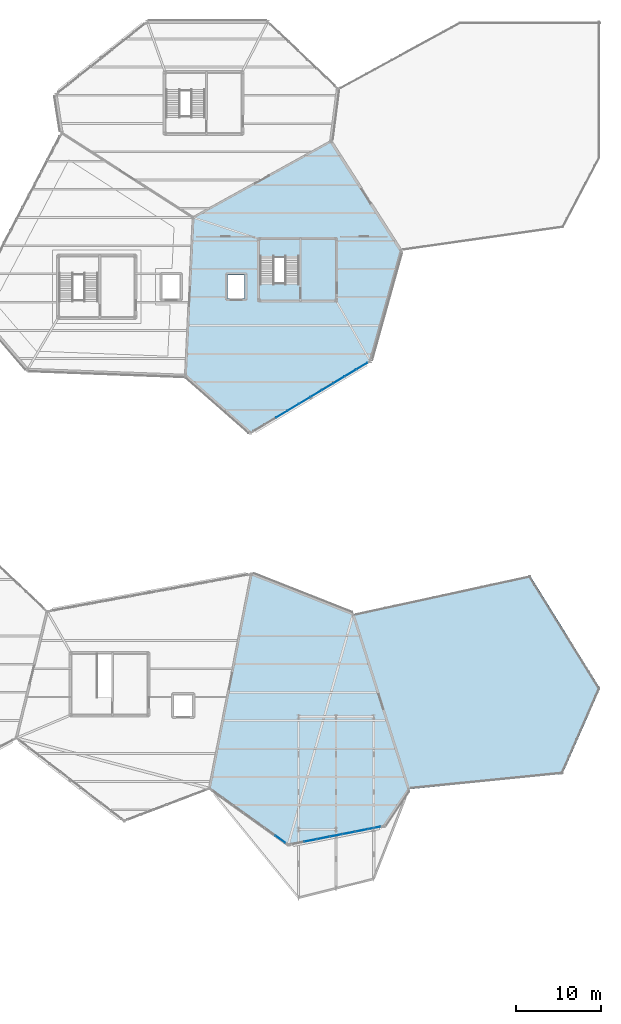
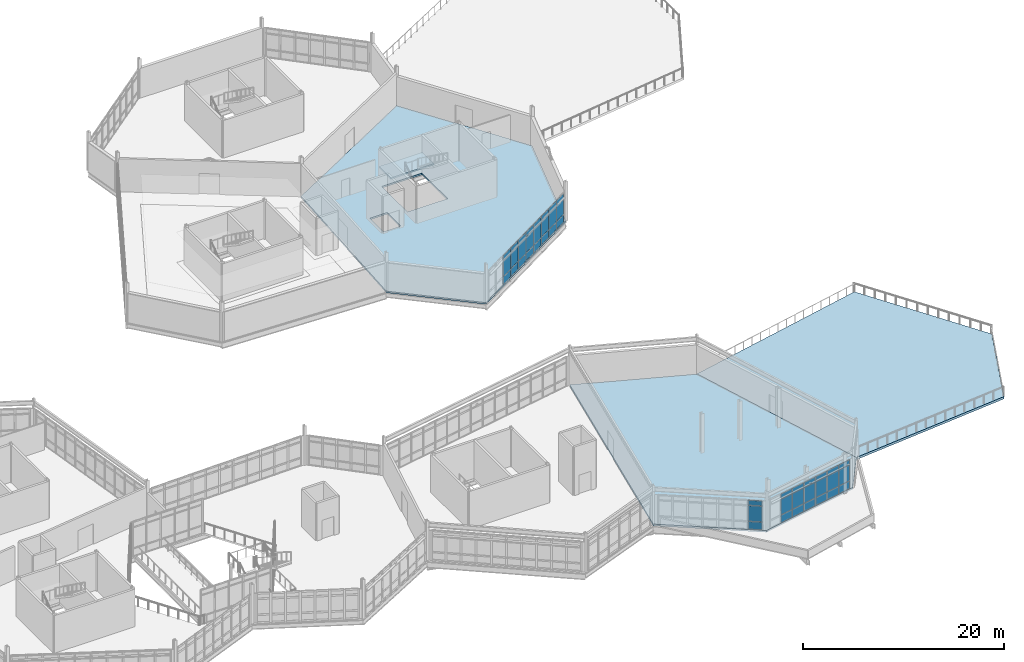
# One storey, part 54 of 76: 45 plates, 4 slabs, 4 elements without a shape of their own.
"""IFC4 building model written with IfcOpenShell, lengths in metres."""

from ifc_helpers import new_model, si_unit, direction, frame, origin, origin_2d, place, context, subcontext, project, spatial, polyline, rectangle, outline, extrude, material, layer, layer_set, type_object, element, aggregate, save


model = new_model("IFC4")

# Units and contexts
model_context = context("Model", 3, precision=1e-05, world=origin(), true_north=direction((0.0, 1.0)))
body_context = subcontext(model_context, "Body", "Model", "MODEL_VIEW")
ifc_project = project(units=[si_unit("LENGTHUNIT", "METRE"), si_unit("AREAUNIT", "SQUARE_METRE"), si_unit("VOLUMEUNIT", "CUBIC_METRE"), si_unit("PLANEANGLEUNIT", "RADIAN"), si_unit("MASSUNIT", "GRAM", prefix="KILO")], contexts=[model_context])

# Site, building, storey
site_placement = place(None, origin())
site = spatial("IfcSite", under=ifc_project, at=site_placement, CompositionType="ELEMENT")
building_placement = place(site_placement, origin())
building = spatial("IfcBuilding", under=site, at=building_placement, Name="Tameran Prism Museum", CompositionType="ELEMENT")
storey_placement = place(building_placement, frame((0.0, 0.0, 15.0)))
storey = spatial("IfcBuildingStorey", under=building, at=storey_placement, Name="L03", CompositionType="ELEMENT", Elevation=15.0)

# Curtain wall, plates
ifc_material_1 = material(Name="Anodised Aluminium 6063-T6 and Cyclone Solar Glass", Category="aluminium")
curtain_wall_type_1 = type_object("IfcCurtainWallType", Name="CW-FAC-1563x362", PredefinedType="USERDEFINED", material=ifc_material_1)
curtain_wall_1_placement = place(storey_placement, origin())
curtain_wall_1 = element("IfcCurtainWall", 1, at=curtain_wall_1_placement, inside=storey, type_object=curtain_wall_type_1, Name="Unitised Curtain Wall CW-131", ObjectType="UNITISED CURTAIN WALL", PredefinedType="USERDEFINED")
ifc_material_2 = material(Name="Low-E Laminated Solar Glass", Category="glass")
ifc_layer_1 = layer(ifc_material_2, 0.028076171875)
ifc_layer_set_1 = layer_set([ifc_layer_1])
plate_type_1 = type_object("IfcPlateType", Name="CW-PNL-G28", PredefinedType="CURTAIN_PANEL", material=ifc_layer_set_1)
plate_1_placement = place(storey_placement, frame((138.51611328125, 71.709716796875, 0.06494140625), z_axis=(0.0, 0.0, 1.0), x_axis=(-0.857492925713, -0.514495755426, 0.0)))
plate_1 = element("IfcPlate", 2, at=plate_1_placement, type_object=plate_type_1, Name="CW-131 panel 1.1", PredefinedType="CURTAIN_PANEL", context=body_context, shape_type="SweptSolid", body=[
    extrude(rectangle(XDim=1.465087890625, YDim=0.028076171875, at=origin_2d()), origin(), (0.0, 0.0, 1.0), 0.902587890625),
])
plate_2_placement = place(storey_placement, frame((138.51611328125, 71.709716796875, 1.032470703125), z_axis=(0.0, 0.0, 1.0), x_axis=(-0.857492925713, -0.514495755426, 0.0)))
plate_2 = element("IfcPlate", 3, at=plate_2_placement, type_object=plate_type_1, Name="CW-131 panel 1.2", PredefinedType="CURTAIN_PANEL", context=body_context, shape_type="SweptSolid", body=[
    extrude(rectangle(XDim=1.465087890625, YDim=0.028076171875, at=origin_2d()), origin(), (0.0, 0.0, 1.0), 1.875),
])
plate_3_placement = place(storey_placement, frame((138.51611328125, 71.709716796875, 2.972412109375), z_axis=(0.0, 0.0, 1.0), x_axis=(-0.857492925713, -0.514495755426, 0.0)))
plate_3 = element("IfcPlate", 4, at=plate_3_placement, type_object=plate_type_1, Name="CW-131 panel 1.3", PredefinedType="CURTAIN_PANEL", context=body_context, shape_type="SweptSolid", body=[
    extrude(rectangle(XDim=1.465087890625, YDim=0.028076171875, at=origin_2d()), origin(), (0.0, 0.0, 1.0), 0.58251953125),
])
plate_4_placement = place(storey_placement, frame((137.18994140625, 70.9140625, 0.06494140625), z_axis=(0.0, 0.0, 1.0), x_axis=(-0.857492925713, -0.514495755426, 0.0)))
plate_4 = element("IfcPlate", 5, at=plate_4_placement, type_object=plate_type_1, Name="CW-131 panel 2.1", PredefinedType="CURTAIN_PANEL", context=body_context, shape_type="SweptSolid", body=[
    extrude(rectangle(XDim=1.497802734375, YDim=0.028076171875, at=origin_2d()), origin(), (0.0, 0.0, 1.0), 0.902587890625),
])
plate_5_placement = place(storey_placement, frame((137.18994140625, 70.9140625, 1.032470703125), z_axis=(0.0, 0.0, 1.0), x_axis=(-0.857492925713, -0.514495755426, 0.0)))
plate_5 = element("IfcPlate", 6, at=plate_5_placement, type_object=plate_type_1, Name="CW-131 panel 2.2", PredefinedType="CURTAIN_PANEL", context=body_context, shape_type="SweptSolid", body=[
    extrude(rectangle(XDim=1.497802734375, YDim=0.028076171875, at=origin_2d()), origin(), (0.0, 0.0, 1.0), 1.875),
])
plate_6_placement = place(storey_placement, frame((137.18994140625, 70.9140625, 2.972412109375), z_axis=(0.0, 0.0, 1.0), x_axis=(-0.857492925713, -0.514495755426, 0.0)))
plate_6 = element("IfcPlate", 7, at=plate_6_placement, type_object=plate_type_1, Name="CW-131 panel 2.3", PredefinedType="CURTAIN_PANEL", context=body_context, shape_type="SweptSolid", body=[
    extrude(rectangle(XDim=1.497802734375, YDim=0.028076171875, at=origin_2d()), origin(), (0.0, 0.0, 1.0), 0.58251953125),
])
plate_7_placement = place(storey_placement, frame((135.85009765625, 70.110107421875, 0.06494140625), z_axis=(0.0, 0.0, 1.0), x_axis=(-0.857492925713, -0.514495755426, 0.0)))
plate_7 = element("IfcPlate", 8, at=plate_7_placement, type_object=plate_type_1, Name="CW-131 panel 3.1", PredefinedType="CURTAIN_PANEL", context=body_context, shape_type="SweptSolid", body=[
    extrude(rectangle(XDim=1.497802734375, YDim=0.028076171875, at=origin_2d()), origin(), (0.0, 0.0, 1.0), 0.902587890625),
])
plate_8_placement = place(storey_placement, frame((135.85009765625, 70.110107421875, 1.032470703125), z_axis=(0.0, 0.0, 1.0), x_axis=(-0.857492925713, -0.514495755426, 0.0)))
plate_8 = element("IfcPlate", 9, at=plate_8_placement, type_object=plate_type_1, Name="CW-131 panel 3.2", PredefinedType="CURTAIN_PANEL", context=body_context, shape_type="SweptSolid", body=[
    extrude(rectangle(XDim=1.497802734375, YDim=0.028076171875, at=origin_2d()), origin(), (0.0, 0.0, 1.0), 1.875),
])
plate_9_placement = place(storey_placement, frame((135.85009765625, 70.110107421875, 2.972412109375), z_axis=(0.0, 0.0, 1.0), x_axis=(-0.857492925713, -0.514495755426, 0.0)))
plate_9 = element("IfcPlate", 10, at=plate_9_placement, type_object=plate_type_1, Name="CW-131 panel 3.3", PredefinedType="CURTAIN_PANEL", context=body_context, shape_type="SweptSolid", body=[
    extrude(rectangle(XDim=1.497802734375, YDim=0.028076171875, at=origin_2d()), origin(), (0.0, 0.0, 1.0), 0.58251953125),
])
plate_10_placement = place(storey_placement, frame((134.510009765625, 69.305908203125, 0.06494140625), z_axis=(0.0, 0.0, 1.0), x_axis=(-0.857492925713, -0.514495755426, 0.0)))
plate_10 = element("IfcPlate", 11, at=plate_10_placement, type_object=plate_type_1, Name="CW-131 panel 4.1", PredefinedType="CURTAIN_PANEL", context=body_context, shape_type="SweptSolid", body=[
    extrude(rectangle(XDim=1.497802734375, YDim=0.028076171875, at=origin_2d()), origin(), (0.0, 0.0, 1.0), 0.902587890625),
])
plate_11_placement = place(storey_placement, frame((134.510009765625, 69.305908203125, 1.032470703125), z_axis=(0.0, 0.0, 1.0), x_axis=(-0.857492925713, -0.514495755426, 0.0)))
plate_11 = element("IfcPlate", 12, at=plate_11_placement, type_object=plate_type_1, Name="CW-131 panel 4.2", PredefinedType="CURTAIN_PANEL", context=body_context, shape_type="SweptSolid", body=[
    extrude(rectangle(XDim=1.497802734375, YDim=0.028076171875, at=origin_2d()), origin(), (0.0, 0.0, 1.0), 1.875),
])
plate_12_placement = place(storey_placement, frame((134.510009765625, 69.305908203125, 2.972412109375), z_axis=(0.0, 0.0, 1.0), x_axis=(-0.857492925713, -0.514495755426, 0.0)))
plate_12 = element("IfcPlate", 13, at=plate_12_placement, type_object=plate_type_1, Name="CW-131 panel 4.3", PredefinedType="CURTAIN_PANEL", context=body_context, shape_type="SweptSolid", body=[
    extrude(rectangle(XDim=1.497802734375, YDim=0.028076171875, at=origin_2d()), origin(), (0.0, 0.0, 1.0), 0.58251953125),
])
plate_13_placement = place(storey_placement, frame((133.169921875, 68.501953125, 0.06494140625), z_axis=(0.0, 0.0, 1.0), x_axis=(-0.857492925713, -0.514495755426, 0.0)))
plate_13 = element("IfcPlate", 14, at=plate_13_placement, type_object=plate_type_1, Name="CW-131 panel 5.1", PredefinedType="CURTAIN_PANEL", context=body_context, shape_type="SweptSolid", body=[
    extrude(rectangle(XDim=1.497802734375, YDim=0.028076171875, at=origin_2d()), origin(), (0.0, 0.0, 1.0), 0.902587890625),
])
plate_14_placement = place(storey_placement, frame((133.169921875, 68.501953125, 1.032470703125), z_axis=(0.0, 0.0, 1.0), x_axis=(-0.857492925713, -0.514495755426, 0.0)))
plate_14 = element("IfcPlate", 15, at=plate_14_placement, type_object=plate_type_1, Name="CW-131 panel 5.2", PredefinedType="CURTAIN_PANEL", context=body_context, shape_type="SweptSolid", body=[
    extrude(rectangle(XDim=1.497802734375, YDim=0.028076171875, at=origin_2d()), origin(), (0.0, 0.0, 1.0), 1.875),
])
plate_15_placement = place(storey_placement, frame((133.169921875, 68.501953125, 2.972412109375), z_axis=(0.0, 0.0, 1.0), x_axis=(-0.857492925713, -0.514495755426, 0.0)))
plate_15 = element("IfcPlate", 16, at=plate_15_placement, type_object=plate_type_1, Name="CW-131 panel 5.3", PredefinedType="CURTAIN_PANEL", context=body_context, shape_type="SweptSolid", body=[
    extrude(rectangle(XDim=1.497802734375, YDim=0.028076171875, at=origin_2d()), origin(), (0.0, 0.0, 1.0), 0.58251953125),
])
plate_16_placement = place(storey_placement, frame((131.830078125, 67.697998046875, 0.06494140625), z_axis=(0.0, 0.0, 1.0), x_axis=(-0.857492925713, -0.514495755426, 0.0)))
plate_16 = element("IfcPlate", 17, at=plate_16_placement, type_object=plate_type_1, Name="CW-131 panel 6.1", PredefinedType="CURTAIN_PANEL", context=body_context, shape_type="SweptSolid", body=[
    extrude(rectangle(XDim=1.497802734375, YDim=0.028076171875, at=origin_2d()), origin(), (0.0, 0.0, 1.0), 0.902587890625),
])
plate_17_placement = place(storey_placement, frame((131.830078125, 67.697998046875, 1.032470703125), z_axis=(0.0, 0.0, 1.0), x_axis=(-0.857492925713, -0.514495755426, 0.0)))
plate_17 = element("IfcPlate", 18, at=plate_17_placement, type_object=plate_type_1, Name="CW-131 panel 6.2", PredefinedType="CURTAIN_PANEL", context=body_context, shape_type="SweptSolid", body=[
    extrude(rectangle(XDim=1.497802734375, YDim=0.028076171875, at=origin_2d()), origin(), (0.0, 0.0, 1.0), 1.875),
])
plate_18_placement = place(storey_placement, frame((131.830078125, 67.697998046875, 2.972412109375), z_axis=(0.0, 0.0, 1.0), x_axis=(-0.857492925713, -0.514495755426, 0.0)))
plate_18 = element("IfcPlate", 19, at=plate_18_placement, type_object=plate_type_1, Name="CW-131 panel 6.3", PredefinedType="CURTAIN_PANEL", context=body_context, shape_type="SweptSolid", body=[
    extrude(rectangle(XDim=1.497802734375, YDim=0.028076171875, at=origin_2d()), origin(), (0.0, 0.0, 1.0), 0.58251953125),
])
plate_19_placement = place(storey_placement, frame((130.489990234375, 66.89404296875, 0.06494140625), z_axis=(0.0, 0.0, 1.0), x_axis=(-0.857492925713, -0.514495755426, 0.0)))
plate_19 = element("IfcPlate", 20, at=plate_19_placement, type_object=plate_type_1, Name="CW-131 panel 7.1", PredefinedType="CURTAIN_PANEL", context=body_context, shape_type="SweptSolid", body=[
    extrude(rectangle(XDim=1.497802734375, YDim=0.028076171875, at=origin_2d()), origin(), (0.0, 0.0, 1.0), 0.902587890625),
])
plate_20_placement = place(storey_placement, frame((130.489990234375, 66.89404296875, 1.032470703125), z_axis=(0.0, 0.0, 1.0), x_axis=(-0.857492925713, -0.514495755426, 0.0)))
plate_20 = element("IfcPlate", 21, at=plate_20_placement, type_object=plate_type_1, Name="CW-131 panel 7.2", PredefinedType="CURTAIN_PANEL", context=body_context, shape_type="SweptSolid", body=[
    extrude(rectangle(XDim=1.497802734375, YDim=0.028076171875, at=origin_2d()), origin(), (0.0, 0.0, 1.0), 1.875),
])
plate_21_placement = place(storey_placement, frame((130.489990234375, 66.89404296875, 2.972412109375), z_axis=(0.0, 0.0, 1.0), x_axis=(-0.857492925713, -0.514495755426, 0.0)))
plate_21 = element("IfcPlate", 22, at=plate_21_placement, type_object=plate_type_1, Name="CW-131 panel 7.3", PredefinedType="CURTAIN_PANEL", context=body_context, shape_type="SweptSolid", body=[
    extrude(rectangle(XDim=1.497802734375, YDim=0.028076171875, at=origin_2d()), origin(), (0.0, 0.0, 1.0), 0.58251953125),
])
plate_22_placement = place(storey_placement, frame((129.14990234375, 66.090087890625, 0.06494140625), z_axis=(0.0, 0.0, 1.0), x_axis=(-0.857492925713, -0.514495755426, 0.0)))
plate_22 = element("IfcPlate", 23, at=plate_22_placement, type_object=plate_type_1, Name="CW-131 panel 8.1", PredefinedType="CURTAIN_PANEL", context=body_context, shape_type="SweptSolid", body=[
    extrude(rectangle(XDim=1.497802734375, YDim=0.028076171875, at=origin_2d()), origin(), (0.0, 0.0, 1.0), 0.902587890625),
])
plate_23_placement = place(storey_placement, frame((129.14990234375, 66.090087890625, 1.032470703125), z_axis=(0.0, 0.0, 1.0), x_axis=(-0.857492925713, -0.514495755426, 0.0)))
plate_23 = element("IfcPlate", 24, at=plate_23_placement, type_object=plate_type_1, Name="CW-131 panel 8.2", PredefinedType="CURTAIN_PANEL", context=body_context, shape_type="SweptSolid", body=[
    extrude(rectangle(XDim=1.497802734375, YDim=0.028076171875, at=origin_2d()), origin(), (0.0, 0.0, 1.0), 1.875),
])
plate_24_placement = place(storey_placement, frame((129.14990234375, 66.090087890625, 2.972412109375), z_axis=(0.0, 0.0, 1.0), x_axis=(-0.857492925713, -0.514495755426, 0.0)))
plate_24 = element("IfcPlate", 25, at=plate_24_placement, type_object=plate_type_1, Name="CW-131 panel 8.3", PredefinedType="CURTAIN_PANEL", context=body_context, shape_type="SweptSolid", body=[
    extrude(rectangle(XDim=1.497802734375, YDim=0.028076171875, at=origin_2d()), origin(), (0.0, 0.0, 1.0), 0.58251953125),
])
aggregate(curtain_wall_1, [plate_1, plate_2, plate_3, plate_4, plate_5, plate_6, plate_7, plate_8, plate_9, plate_10, plate_11, plate_12, plate_13, plate_14, plate_15, plate_16, plate_17, plate_18, plate_19, plate_20, plate_21, plate_22, plate_23, plate_24])

ifc_material_3 = material(Name="Anodised Aluminium 6063-T6 and Cyclone Solar Glass", Category="aluminium")
curtain_wall_type_2 = type_object("IfcCurtainWallType", Name="CW-FAC-1071x362", PredefinedType="USERDEFINED", material=ifc_material_3)
curtain_wall_2_placement = place(storey_placement, origin())
curtain_wall_2 = element("IfcCurtainWall", 26, at=curtain_wall_2_placement, inside=storey, type_object=curtain_wall_type_2, Name="Unitised Curtain Wall CW-149", ObjectType="UNITISED CURTAIN WALL", PredefinedType="USERDEFINED")
plate_25_placement = place(storey_placement, frame((139.987548828125, 17.681884765625, 0.0751953125), z_axis=(0.0, 0.0, 1.0), x_axis=(-0.981235579989, -0.192812698141, 0.0)))
plate_25 = element("IfcPlate", 27, at=plate_25_placement, type_object=plate_type_1, Name="CW-149 panel 1.1", PredefinedType="CURTAIN_PANEL", context=body_context, shape_type="SweptSolid", body=[
    extrude(rectangle(XDim=1.418212890625, YDim=0.028076171875, at=origin_2d()), origin(), (0.0, 0.0, 1.0), 0.887451171875),
])
plate_26_placement = place(storey_placement, frame((139.987548828125, 17.681884765625, 1.03759765625), z_axis=(0.0, 0.0, 1.0), x_axis=(-0.981235579989, -0.192812698141, 0.0)))
plate_26 = element("IfcPlate", 28, at=plate_26_placement, type_object=plate_type_1, Name="CW-149 panel 1.2", PredefinedType="CURTAIN_PANEL", context=body_context, shape_type="SweptSolid", body=[
    extrude(rectangle(XDim=1.418212890625, YDim=0.028076171875, at=origin_2d()), origin(), (0.0, 0.0, 1.0), 1.864990234375),
])
plate_27_placement = place(storey_placement, frame((139.987548828125, 17.681884765625, 2.9775390625), z_axis=(0.0, 0.0, 1.0), x_axis=(-0.981235579989, -0.192812698141, 0.0)))
plate_27 = element("IfcPlate", 29, at=plate_27_placement, type_object=plate_type_1, Name="CW-149 panel 1.3", PredefinedType="CURTAIN_PANEL", context=body_context, shape_type="SweptSolid", body=[
    extrude(rectangle(XDim=1.418212890625, YDim=0.028076171875, at=origin_2d()), origin(), (0.0, 0.0, 1.0), 0.5673828125),
])
plate_28_placement = place(storey_placement, frame((138.50390625, 17.390380859375, 0.0751953125), z_axis=(0.0, 0.0, 1.0), x_axis=(-0.981235579989, -0.192812698141, 0.0)))
plate_28 = element("IfcPlate", 30, at=plate_28_placement, type_object=plate_type_1, Name="CW-149 panel 2.1", PredefinedType="CURTAIN_PANEL", context=body_context, shape_type="SweptSolid", body=[
    extrude(rectangle(XDim=1.455810546875, YDim=0.028076171875, at=origin_2d()), origin(), (0.0, 0.0, 1.0), 0.887451171875),
])
plate_29_placement = place(storey_placement, frame((138.50390625, 17.390380859375, 1.03759765625), z_axis=(0.0, 0.0, 1.0), x_axis=(-0.981235579989, -0.192812698141, 0.0)))
plate_29 = element("IfcPlate", 31, at=plate_29_placement, type_object=plate_type_1, Name="CW-149 panel 2.2", PredefinedType="CURTAIN_PANEL", context=body_context, shape_type="SweptSolid", body=[
    extrude(rectangle(XDim=1.455810546875, YDim=0.028076171875, at=origin_2d()), origin(), (0.0, 0.0, 1.0), 1.864990234375),
])
plate_30_placement = place(storey_placement, frame((138.50390625, 17.390380859375, 2.9775390625), z_axis=(0.0, 0.0, 1.0), x_axis=(-0.981235579989, -0.192812698141, 0.0)))
plate_30 = element("IfcPlate", 32, at=plate_30_placement, type_object=plate_type_1, Name="CW-149 panel 2.3", PredefinedType="CURTAIN_PANEL", context=body_context, shape_type="SweptSolid", body=[
    extrude(rectangle(XDim=1.455810546875, YDim=0.028076171875, at=origin_2d()), origin(), (0.0, 0.0, 1.0), 0.5673828125),
])
plate_31_placement = place(storey_placement, frame((137.001953125, 17.09521484375, 0.0751953125), z_axis=(0.0, 0.0, 1.0), x_axis=(-0.981235579989, -0.192812698141, 0.0)))
plate_31 = element("IfcPlate", 33, at=plate_31_placement, type_object=plate_type_1, Name="CW-149 panel 3.1", PredefinedType="CURTAIN_PANEL", context=body_context, shape_type="SweptSolid", body=[
    extrude(rectangle(XDim=1.455810546875, YDim=0.028076171875, at=origin_2d()), origin(), (0.0, 0.0, 1.0), 0.887451171875),
])
plate_32_placement = place(storey_placement, frame((137.001953125, 17.09521484375, 1.03759765625), z_axis=(0.0, 0.0, 1.0), x_axis=(-0.981235579989, -0.192812698141, 0.0)))
plate_32 = element("IfcPlate", 34, at=plate_32_placement, type_object=plate_type_1, Name="CW-149 panel 3.2", PredefinedType="CURTAIN_PANEL", context=body_context, shape_type="SweptSolid", body=[
    extrude(rectangle(XDim=1.455810546875, YDim=0.028076171875, at=origin_2d()), origin(), (0.0, 0.0, 1.0), 1.864990234375),
])
plate_33_placement = place(storey_placement, frame((137.001953125, 17.09521484375, 2.9775390625), z_axis=(0.0, 0.0, 1.0), x_axis=(-0.981235579989, -0.192812698141, 0.0)))
plate_33 = element("IfcPlate", 35, at=plate_33_placement, type_object=plate_type_1, Name="CW-149 panel 3.3", PredefinedType="CURTAIN_PANEL", context=body_context, shape_type="SweptSolid", body=[
    extrude(rectangle(XDim=1.455810546875, YDim=0.028076171875, at=origin_2d()), origin(), (0.0, 0.0, 1.0), 0.5673828125),
])
plate_34_placement = place(storey_placement, frame((135.5, 16.800048828125, 0.0751953125), z_axis=(0.0, 0.0, 1.0), x_axis=(-0.981235579989, -0.192812698141, 0.0)))
plate_34 = element("IfcPlate", 36, at=plate_34_placement, type_object=plate_type_1, Name="CW-149 panel 4.1", PredefinedType="CURTAIN_PANEL", context=body_context, shape_type="SweptSolid", body=[
    extrude(rectangle(XDim=1.455810546875, YDim=0.028076171875, at=origin_2d()), origin(), (0.0, 0.0, 1.0), 0.887451171875),
])
plate_35_placement = place(storey_placement, frame((135.5, 16.800048828125, 1.03759765625), z_axis=(0.0, 0.0, 1.0), x_axis=(-0.981235579989, -0.192812698141, 0.0)))
plate_35 = element("IfcPlate", 37, at=plate_35_placement, type_object=plate_type_1, Name="CW-149 panel 4.2", PredefinedType="CURTAIN_PANEL", context=body_context, shape_type="SweptSolid", body=[
    extrude(rectangle(XDim=1.455810546875, YDim=0.028076171875, at=origin_2d()), origin(), (0.0, 0.0, 1.0), 1.864990234375),
])
plate_36_placement = place(storey_placement, frame((135.5, 16.800048828125, 2.9775390625), z_axis=(0.0, 0.0, 1.0), x_axis=(-0.981235579989, -0.192812698141, 0.0)))
plate_36 = element("IfcPlate", 38, at=plate_36_placement, type_object=plate_type_1, Name="CW-149 panel 4.3", PredefinedType="CURTAIN_PANEL", context=body_context, shape_type="SweptSolid", body=[
    extrude(rectangle(XDim=1.455810546875, YDim=0.028076171875, at=origin_2d()), origin(), (0.0, 0.0, 1.0), 0.5673828125),
])
plate_37_placement = place(storey_placement, frame((133.998046875, 16.5048828125, 0.0751953125), z_axis=(0.0, 0.0, 1.0), x_axis=(-0.981235579989, -0.192812698141, 0.0)))
plate_37 = element("IfcPlate", 39, at=plate_37_placement, type_object=plate_type_1, Name="CW-149 panel 5.1", PredefinedType="CURTAIN_PANEL", context=body_context, shape_type="SweptSolid", body=[
    extrude(rectangle(XDim=1.455810546875, YDim=0.028076171875, at=origin_2d()), origin(), (0.0, 0.0, 1.0), 0.887451171875),
])
plate_38_placement = place(storey_placement, frame((133.998046875, 16.5048828125, 1.03759765625), z_axis=(0.0, 0.0, 1.0), x_axis=(-0.981235579989, -0.192812698141, 0.0)))
plate_38 = element("IfcPlate", 40, at=plate_38_placement, type_object=plate_type_1, Name="CW-149 panel 5.2", PredefinedType="CURTAIN_PANEL", context=body_context, shape_type="SweptSolid", body=[
    extrude(rectangle(XDim=1.455810546875, YDim=0.028076171875, at=origin_2d()), origin(), (0.0, 0.0, 1.0), 1.864990234375),
])
plate_39_placement = place(storey_placement, frame((133.998046875, 16.5048828125, 2.9775390625), z_axis=(0.0, 0.0, 1.0), x_axis=(-0.981235579989, -0.192812698141, 0.0)))
plate_39 = element("IfcPlate", 41, at=plate_39_placement, type_object=plate_type_1, Name="CW-149 panel 5.3", PredefinedType="CURTAIN_PANEL", context=body_context, shape_type="SweptSolid", body=[
    extrude(rectangle(XDim=1.455810546875, YDim=0.028076171875, at=origin_2d()), origin(), (0.0, 0.0, 1.0), 0.5673828125),
])
plate_40_placement = place(storey_placement, frame((132.49609375, 16.209716796875, 0.0751953125), z_axis=(0.0, 0.0, 1.0), x_axis=(-0.981235579989, -0.192812698141, 0.0)))
plate_40 = element("IfcPlate", 42, at=plate_40_placement, type_object=plate_type_1, Name="CW-149 panel 6.1", PredefinedType="CURTAIN_PANEL", context=body_context, shape_type="SweptSolid", body=[
    extrude(rectangle(XDim=1.455810546875, YDim=0.028076171875, at=origin_2d()), origin(), (0.0, 0.0, 1.0), 0.887451171875),
])
plate_41_placement = place(storey_placement, frame((132.49609375, 16.209716796875, 1.03759765625), z_axis=(0.0, 0.0, 1.0), x_axis=(-0.981235579989, -0.192812698141, 0.0)))
plate_41 = element("IfcPlate", 43, at=plate_41_placement, type_object=plate_type_1, Name="CW-149 panel 6.2", PredefinedType="CURTAIN_PANEL", context=body_context, shape_type="SweptSolid", body=[
    extrude(rectangle(XDim=1.455810546875, YDim=0.028076171875, at=origin_2d()), origin(), (0.0, 0.0, 1.0), 1.864990234375),
])
plate_42_placement = place(storey_placement, frame((132.49609375, 16.209716796875, 2.9775390625), z_axis=(0.0, 0.0, 1.0), x_axis=(-0.981235579989, -0.192812698141, 0.0)))
plate_42 = element("IfcPlate", 44, at=plate_42_placement, type_object=plate_type_1, Name="CW-149 panel 6.3", PredefinedType="CURTAIN_PANEL", context=body_context, shape_type="SweptSolid", body=[
    extrude(rectangle(XDim=1.455810546875, YDim=0.028076171875, at=origin_2d()), origin(), (0.0, 0.0, 1.0), 0.5673828125),
])
aggregate(curtain_wall_2, [plate_25, plate_26, plate_27, plate_28, plate_29, plate_30, plate_31, plate_32, plate_33, plate_34, plate_35, plate_36, plate_37, plate_38, plate_39, plate_40, plate_41, plate_42])

ifc_material_4 = material(Name="Anodised Aluminium 6063-T6 and Cyclone Solar Glass", Category="aluminium")
curtain_wall_type_3 = type_object("IfcCurtainWallType", Name="CW-FAC-1056x362", PredefinedType="USERDEFINED", material=ifc_material_4)
curtain_wall_3_placement = place(storey_placement, origin())
curtain_wall_3 = element("IfcCurtainWall", 45, at=curtain_wall_3_placement, inside=storey, type_object=curtain_wall_type_3, Name="Unitised Curtain Wall CW-148", ObjectType="UNITISED CURTAIN WALL", PredefinedType="USERDEFINED")
ifc_material_5 = material(Name="Cyclone Laminated Solar Glass", Category="glass")
ifc_layer_2 = layer(ifc_material_5, 0.031982421875)
ifc_layer_set_2 = layer_set([ifc_layer_2])
plate_type_2 = type_object("IfcPlateType", Name="CW-PNL-G32", PredefinedType="CURTAIN_PANEL", material=ifc_layer_set_2)
plate_43_placement = place(storey_placement, frame((128.98876953125, 16.35400390625, 0.070068359375), z_axis=(0.0, 0.0, 1.0), x_axis=(-0.812554821293, 0.582884776259, 0.0)))
plate_43 = element("IfcPlate", 46, at=plate_43_placement, type_object=plate_type_2, Name="CW-148 panel 1.1", PredefinedType="CURTAIN_PANEL", context=body_context, shape_type="SweptSolid", body=[
    extrude(rectangle(XDim=1.404052734375, YDim=0.031982421875, at=origin_2d()), origin(), (0.0, 0.0, 1.0), 0.89501953125),
])
plate_44_placement = place(storey_placement, frame((128.98876953125, 16.35400390625, 1.034912109375), z_axis=(0.0, 0.0, 1.0), x_axis=(-0.812554821293, 0.582884776259, 0.0)))
plate_44 = element("IfcPlate", 47, at=plate_44_placement, type_object=plate_type_2, Name="CW-148 panel 1.2", PredefinedType="CURTAIN_PANEL", context=body_context, shape_type="SweptSolid", body=[
    extrude(rectangle(XDim=1.404052734375, YDim=0.031982421875, at=origin_2d()), origin(), (0.0, 0.0, 1.0), 1.8701171875),
])
plate_45_placement = place(storey_placement, frame((128.98876953125, 16.35400390625, 2.97509765625), z_axis=(0.0, 0.0, 1.0), x_axis=(-0.812554821293, 0.582884776259, 0.0)))
plate_45 = element("IfcPlate", 48, at=plate_45_placement, type_object=plate_type_2, Name="CW-148 panel 1.3", PredefinedType="CURTAIN_PANEL", context=body_context, shape_type="SweptSolid", body=[
    extrude(rectangle(XDim=1.404052734375, YDim=0.031982421875, at=origin_2d()), origin(), (0.0, 0.0, 1.0), 0.574951171875),
])
aggregate(curtain_wall_3, [plate_43, plate_44, plate_45])

# Slabs
ifc_material_6 = material(Name="Concrete N32 (32 MPa)", Category="concrete")
ifc_layer_3 = layer(ifc_material_6, 0.199951171875)
ifc_layer_set_3 = layer_set([ifc_layer_3])
slab_type_1 = type_object("IfcSlabType", Name="SL-FLR-200", PredefinedType="FLOOR", material=ifc_layer_set_3)
slab_1_placement = place(storey_placement, frame((0.0, 0.0, -0.199951171875)))
element("IfcSlab", 49, at=slab_1_placement, inside=storey, type_object=slab_type_1, Name="Floor Slab FS-P02-L03", PredefinedType="FLOOR", context=body_context, shape_type="SweptSolid", body=[
    extrude(outline(polyline([(118.800048828125, 89.10009765625), (134.89990234375, 98.0), (143.10009765625, 85.199951171875), (139.5, 72.300048828125), (125.5, 63.89990234375), (117.89990234375, 70.60009765625), (118.800048828125, 89.10009765625)]), holes=[polyline([(124.800048828125, 79.64990234375), (124.800048828125, 82.35009765625), (122.800048828125, 82.35009765625), (122.800048828125, 79.64990234375), (124.800048828125, 79.64990234375)]), polyline([(131.219970703125, 81.43994140625), (131.219970703125, 86.550048828125), (126.60009765625, 86.550048828125), (126.60009765625, 81.43994140625), (131.219970703125, 81.43994140625)])]), origin(), (0.0, 0.0, 1.0), 0.199951171875),
])
ifc_material_7 = material(Name="Concrete N32 (32 MPa)", Category="concrete")
ifc_layer_4 = layer(ifc_material_7, 0.219970703125)
ifc_layer_set_4 = layer_set([ifc_layer_4])
slab_type_2 = type_object("IfcSlabType", Name="SL-FLR-220", PredefinedType="FLOOR", material=ifc_layer_set_4)
slab_2_placement = place(storey_placement, frame((0.0, 0.0, -0.219970703125)))
element("IfcSlab", 50, at=slab_2_placement, inside=storey, type_object=slab_type_2, Name="Floor Slab FS-P09-L03", PredefinedType="FLOOR", context=body_context, shape_type="SweptSolid", body=[
    extrude(outline(polyline([(137.5, 42.699951171875), (125.60009765625, 47.39990234375), (120.699951171875, 22.300048828125), (129.89990234375, 15.699951171875), (141.10009765625, 17.89990234375), (144.0, 22.199951171875), (137.5, 42.699951171875)])), origin(), (0.0, 0.0, 1.0), 0.219970703125),
])

# Stair, slab
ifc_material_8 = material(Name="Concrete N40 (40 MPa)", Category="concrete")
stair_type = type_object("IfcStairType", Name="ST-CORE-48", PredefinedType="HALF_TURN_STAIR", material=ifc_material_8)
stair_placement = place(storey_placement, origin())
stair = element("IfcStair", 51, at=stair_placement, inside=storey, type_object=stair_type, Name="Fire-Isolated Stair ST-02-L03", PredefinedType="HALF_TURN_STAIR")
ifc_material_9 = material(Name="Concrete N40 (40 MPa)", Category="concrete")
ifc_layer_5 = layer(ifc_material_9, 0.18505859375)
ifc_layer_set_5 = layer_set([ifc_layer_5])
slab_type_3 = type_object("IfcSlabType", Name="SL-LND-185", PredefinedType="LANDING", material=ifc_layer_set_5)
slab_3_placement = place(storey_placement, frame((0.0, 0.0, 2.215087890625)))
slab_3 = element("IfcSlab", 52, at=slab_3_placement, type_object=slab_type_3, Name="ST-02-L03 landing 1", PredefinedType="LANDING", context=body_context, shape_type="SweptSolid", body=[
    extrude(outline(polyline([(126.3798828125, 84.4150390625), (131.3701171875, 84.4150390625), (131.3701171875, 86.719970703125), (126.3798828125, 86.719970703125), (126.3798828125, 84.4150390625)])), origin(), (0.0, 0.0, 1.0), 0.184814453125),
])
aggregate(stair, [slab_3])

# Slab
ifc_material_10 = material(Name="Concrete N40 (40 MPa)", Category="concrete")
ifc_layer_6 = layer(ifc_material_10, 0.280029296875)
ifc_layer_set_6 = layer_set([ifc_layer_6])
slab_type_4 = type_object("IfcSlabType", Name="SL-TER-280", PredefinedType="USERDEFINED", material=ifc_layer_set_6)
slab_4_placement = place(storey_placement, frame((0.0, 0.0, -0.280029296875)))
element("IfcSlab", 53, at=slab_4_placement, inside=storey, type_object=slab_type_4, Name="Planted Roof Terrace TR-P19-L03", ObjectType="TERRACE", PredefinedType="USERDEFINED", context=body_context, shape_type="SweptSolid", body=[
    extrude(outline(polyline([(144.0, 22.199951171875), (162.0, 24.0), (166.39990234375, 34.0), (158.199951171875, 47.199951171875), (137.5, 42.699951171875), (144.0, 22.199951171875)])), origin(), (0.0, 0.0, 1.0), 0.280029296875),
])

save(model, "model.ifc")
